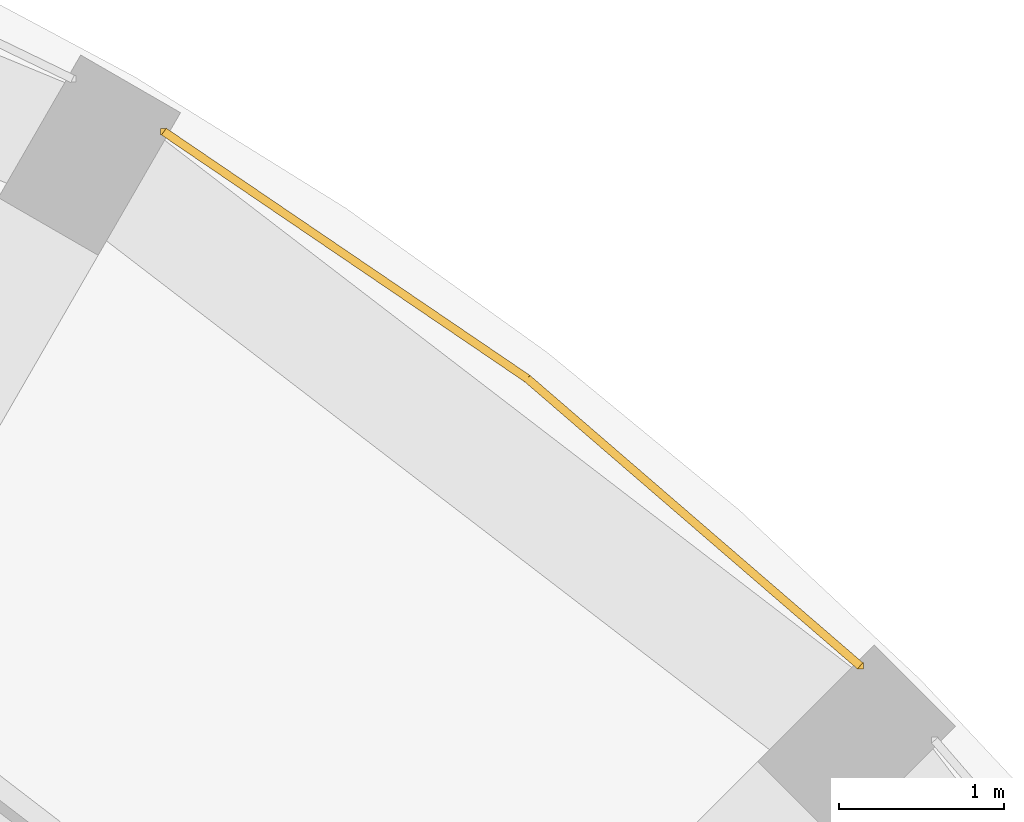
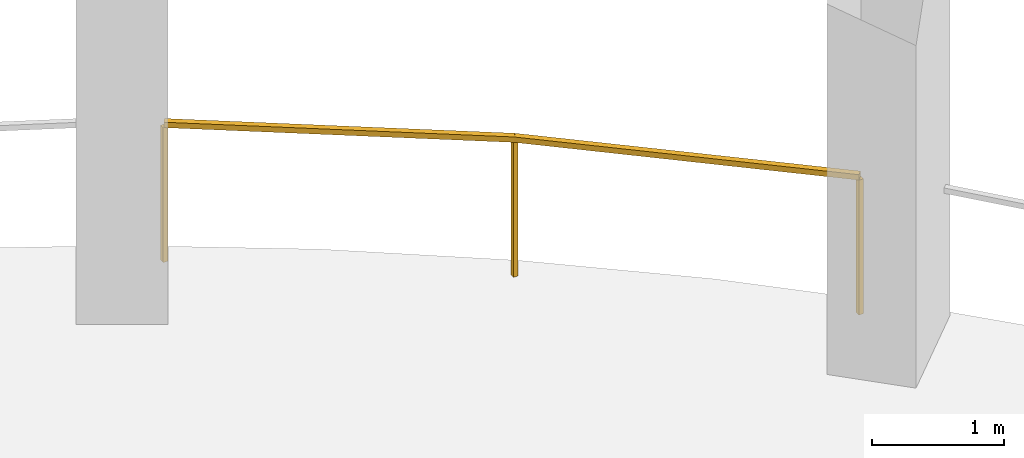
# One storey, part 9 of 9: 1 railing.
"""IFC4 building model written with IfcOpenShell, lengths in metres."""

from ifc_helpers import new_model, si_unit, direction, frame, origin, origin_2d, place, context, subcontext, project, spatial, rectangle, extrude, material, type_object, element, save


model = new_model("IFC4")

# Units and contexts
model_context = context("Model", 3, precision=1e-05, world=origin(), true_north=direction((0.0, 1.0)))
body_context = subcontext(model_context, "Body", "Model", "MODEL_VIEW")
ifc_project = project(units=[si_unit("LENGTHUNIT", "METRE"), si_unit("AREAUNIT", "SQUARE_METRE"), si_unit("VOLUMEUNIT", "CUBIC_METRE"), si_unit("PLANEANGLEUNIT", "RADIAN"), si_unit("MASSUNIT", "GRAM", prefix="KILO")], contexts=[model_context])

# Site, building, storey
site_placement = place(None, origin())
site = spatial("IfcSite", under=ifc_project, at=site_placement, CompositionType="ELEMENT")
building_placement = place(site_placement, origin())
building = spatial("IfcBuilding", under=site, at=building_placement, Name="Torre Triforio", CompositionType="ELEMENT")
storey_placement = place(building_placement, frame((0.0, 0.0, 176.39990234375)))
storey = spatial("IfcBuildingStorey", under=building, at=storey_placement, Name="L40", CompositionType="ELEMENT", Elevation=176.39990234375)

# Railing
ifc_material = material(Name="Stainless steel AISI 316", Category="steel")
railing_type = type_object("IfcRailingType", Name="Loggia guard 1300", PredefinedType="GUARDRAIL", material=ifc_material)
railing_placement = place(storey_placement, frame((15.93115234375, 16.3837890625, 0.0)))
element("IfcRailing", 1, at=railing_placement, inside=storey, type_object=railing_type, Name="Loggia guard L40 bay 04", PredefinedType="GUARDRAIL", context=body_context, shape_type="SweptSolid", body=[
    extrude(rectangle(XDim=0.050048828125, YDim=0.050048828125, at=origin_2d()), frame((0.0, 0.0, 1.27490234375), z_axis=(-0.757012150376, 0.653400799038, 0.0), x_axis=(-0.653400799038, -0.757012150376, 0.0)), (0.0, 0.0, 1.0), 2.669677734375),
    extrude(rectangle(XDim=0.050048828125, YDim=0.050048828125, at=origin_2d()), frame((-2.02099609375, 1.744384765625, 1.27490234375), z_axis=(-0.827093160774, 0.562064856935, 0.0), x_axis=(-0.562064856935, -0.827093160774, 0.0)), (0.0, 0.0, 1.0), 2.669677734375),
    extrude(rectangle(XDim=0.0400390625, YDim=0.0400390625, at=origin_2d()), origin(), (0.0, 0.0, 1.0), 1.25),
    extrude(rectangle(XDim=0.0400390625, YDim=0.0400390625, at=origin_2d()), frame((-2.02099609375, 1.744384765625, 0.0)), (0.0, 0.0, 1.0), 1.25),
    extrude(rectangle(XDim=0.0400390625, YDim=0.0400390625, at=origin_2d()), frame((-4.22900390625, 3.244873046875, 0.0)), (0.0, 0.0, 1.0), 1.25),
])

save(model, "model.ifc")
